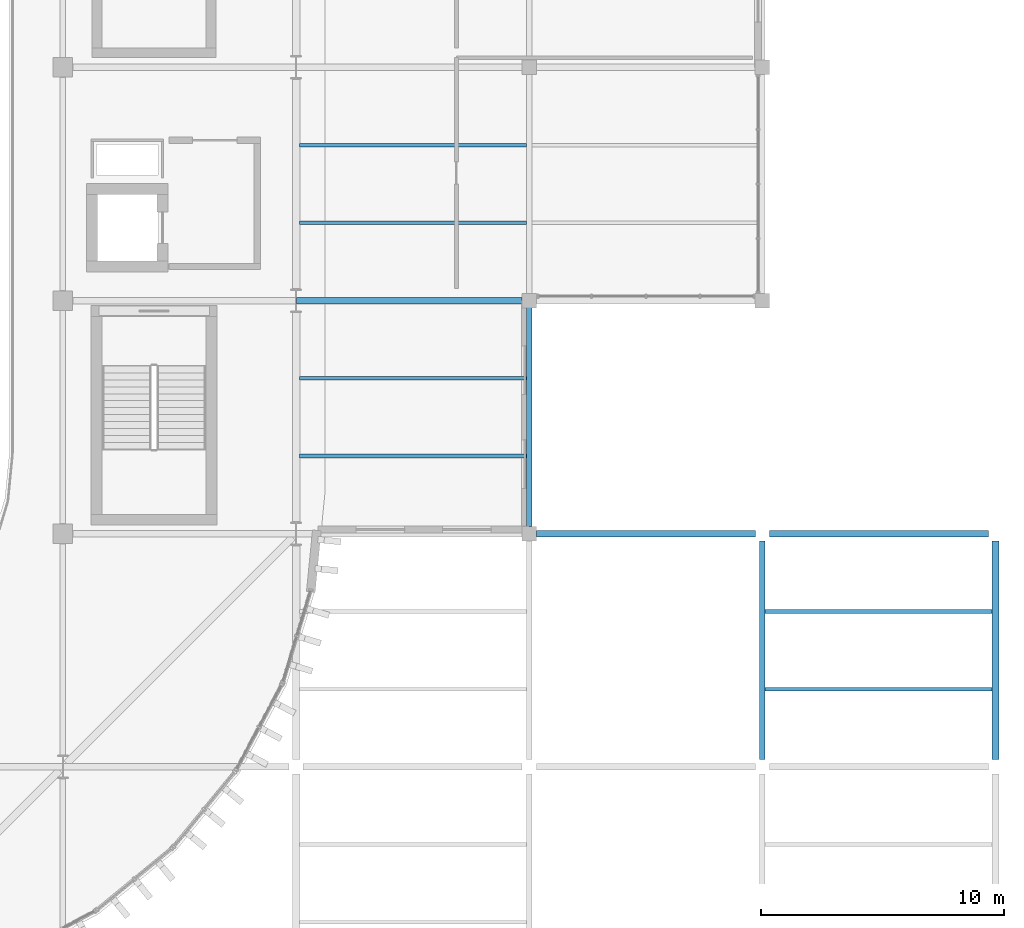
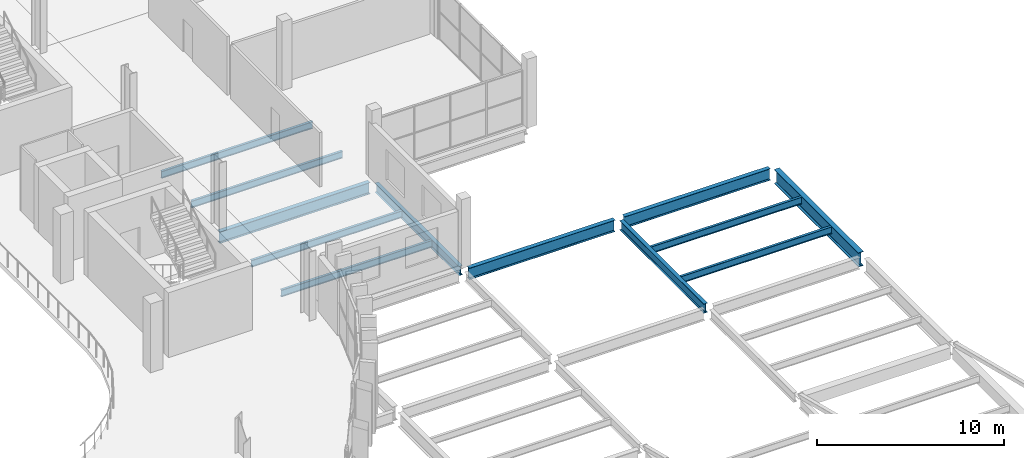
# One storey, part 21 of 75: 12 beams.
"""IFC4 building model written with IfcOpenShell, lengths in metres."""

from ifc_helpers import new_model, si_unit, direction, frame, origin, origin_2d, place, context, subcontext, project, spatial, i_section, extrude, material, material_profile, profile_set, type_object, element, save


model = new_model("IFC4")

# Units and contexts
model_context = context("Model", 3, precision=1e-05, world=origin(), true_north=direction((0.0, 1.0)))
body_context = subcontext(model_context, "Body", "Model", "MODEL_VIEW")
ifc_project = project(units=[si_unit("LENGTHUNIT", "METRE"), si_unit("AREAUNIT", "SQUARE_METRE"), si_unit("VOLUMEUNIT", "CUBIC_METRE"), si_unit("PLANEANGLEUNIT", "RADIAN"), si_unit("MASSUNIT", "GRAM", prefix="KILO")], contexts=[model_context])

# Site, building, storey
site_placement = place(None, origin())
site = spatial("IfcSite", under=ifc_project, at=site_placement, CompositionType="ELEMENT")
building_placement = place(site_placement, origin())
building = spatial("IfcBuilding", under=site, at=building_placement, Name="Caelomonte Colonnade Arena", CompositionType="ELEMENT")
storey_placement = place(building_placement, frame((0.0, 0.0, 14.10009765625)))
storey = spatial("IfcBuildingStorey", under=building, at=storey_placement, Name="L03", CompositionType="ELEMENT", Elevation=14.10009765625)

# Beams
ifc_material = material(Name="Wide-flange steel ASTM A992 Grade 50", Category="steel")
ifc_material_profile_1 = material_profile(ifc_material, i_section(OverallWidth=0.307861328125, OverallDepth=0.927001953125, WebThickness=0.019287109375, FlangeThickness=0.031982421875, FilletRadius=0.020263671875, at=origin_2d()), Name="W36X194")
ifc_profile_set_1 = profile_set([ifc_material_profile_1], Name="Wide-flange steel ASTM A992 Grade 50")
beam_type_1 = type_object("IfcBeamType", Name="STR-BM-EAVES2", PredefinedType="SPANDREL", material=ifc_profile_set_1)
beam_1_placement = place(storey_placement, frame((192.0, 29.092041015625, -0.74365234375), z_axis=(0.0, 1.0, 0.0), x_axis=(-1.0, 0.0, 0.0)))
element("IfcBeam", 1, at=beam_1_placement, inside=storey, type_object=beam_type_1, Name="L03 girder BMY-L03-1920-0288", PredefinedType="SPANDREL", context=body_context, shape_type="SweptSolid", body=[
    extrude(i_section(OverallWidth=0.307861328125, OverallDepth=0.927001953125, WebThickness=0.019287109375, FlangeThickness=0.031982421875, FilletRadius=0.020263671875, at=origin_2d()), origin(), (0.0, 0.0, 1.0), 9.015869140625),
])
ifc_material_profile_2 = material_profile(ifc_material, i_section(OverallWidth=0.228271484375, OverallDepth=0.607177734375, WebThickness=0.01123046875, FlangeThickness=0.017333984375, FilletRadius=0.0126953125, at=origin_2d()), Name="W24X76")
ifc_profile_set_2 = profile_set([ifc_material_profile_2], Name="Wide-flange steel ASTM A992 Grade 50")
beam_type_2 = type_object("IfcBeamType", Name="STR-BM-GIRD24", PredefinedType="BEAM", material=ifc_profile_set_2)
beam_2_placement = place(storey_placement, frame((172.800048828125, 38.69189453125, -0.58349609375), z_axis=(0.0, 1.0, 0.0), x_axis=(-1.0, 0.0, 0.0)))
element("IfcBeam", 2, at=beam_2_placement, inside=storey, type_object=beam_type_2, Name="L03 girder BMY-L03-1728-0384", PredefinedType="BEAM", context=body_context, shape_type="SweptSolid", body=[
    extrude(i_section(OverallWidth=0.228271484375, OverallDepth=0.607177734375, WebThickness=0.01123046875, FlangeThickness=0.017333984375, FilletRadius=0.0126953125, at=origin_2d()), origin(), (0.0, 0.0, 1.0), 9.01611328125),
])
beam_3_placement = place(storey_placement, frame((182.39990234375, 29.092041015625, -0.58349609375), z_axis=(0.0, 1.0, 0.0), x_axis=(-1.0, 0.0, 0.0)))
element("IfcBeam", 3, at=beam_3_placement, inside=storey, type_object=beam_type_2, Name="L03 girder BMY-L03-1824-0288", PredefinedType="BEAM", context=body_context, shape_type="SweptSolid", body=[
    extrude(i_section(OverallWidth=0.228271484375, OverallDepth=0.607177734375, WebThickness=0.01123046875, FlangeThickness=0.017333984375, FilletRadius=0.0126953125, at=origin_2d()), origin(), (0.0, 0.0, 1.0), 9.015869140625),
])
ifc_material_profile_3 = material_profile(ifc_material, i_section(OverallWidth=0.265380859375, OverallDepth=0.75439453125, WebThickness=0.01318359375, FlangeThickness=0.01708984375, FilletRadius=0.0166015625, at=origin_2d()), Name="W30X99")
ifc_profile_set_3 = profile_set([ifc_material_profile_3], Name="Wide-flange steel ASTM A992 Grade 50")
beam_type_3 = type_object("IfcBeamType", Name="STR-BM-GIRD30B", PredefinedType="BEAM", material=ifc_profile_set_3)
beam_4_placement = place(storey_placement, frame((173.092041015625, 38.39990234375, -0.6572265625), z_axis=(1.0, 0.0, 0.0), x_axis=(0.0, 1.0, 0.0)))
element("IfcBeam", 4, at=beam_4_placement, inside=storey, type_object=beam_type_3, Name="L03 girder BMX-L03-1728-0384", PredefinedType="BEAM", context=body_context, shape_type="SweptSolid", body=[
    extrude(i_section(OverallWidth=0.265380859375, OverallDepth=0.75439453125, WebThickness=0.01318359375, FlangeThickness=0.01708984375, FilletRadius=0.0166015625, at=origin_2d()), origin(), (0.0, 0.0, 1.0), 9.015869140625),
])
beam_5_placement = place(storey_placement, frame((182.69189453125, 38.39990234375, -0.6572265625), z_axis=(1.0, 0.0, 0.0), x_axis=(0.0, 1.0, 0.0)))
element("IfcBeam", 5, at=beam_5_placement, inside=storey, type_object=beam_type_3, Name="L03 girder BMX-L03-1824-0384", PredefinedType="BEAM", context=body_context, shape_type="SweptSolid", body=[
    extrude(i_section(OverallWidth=0.265380859375, OverallDepth=0.75439453125, WebThickness=0.01318359375, FlangeThickness=0.01708984375, FilletRadius=0.0166015625, at=origin_2d()), origin(), (0.0, 0.0, 1.0), 9.01611328125),
])
beam_6_placement = place(storey_placement, frame((163.2119140625, 48.0, -0.6572265625), z_axis=(1.0, 0.0, 0.0), x_axis=(0.0, 1.0, 0.0)))
element("IfcBeam", 6, at=beam_6_placement, inside=storey, type_object=beam_type_3, Name="L03 girder BMX-L03-1632-0480", PredefinedType="BEAM", context=body_context, shape_type="SweptSolid", body=[
    extrude(i_section(OverallWidth=0.265380859375, OverallDepth=0.75439453125, WebThickness=0.01318359375, FlangeThickness=0.01708984375, FilletRadius=0.0166015625, at=origin_2d()), origin(), (0.0, 0.0, 1.0), 9.296142578125),
])
ifc_material_profile_4 = material_profile(ifc_material, i_section(OverallWidth=0.15283203125, OverallDepth=0.45458984375, WebThickness=0.008056640625, FlangeThickness=0.01318359375, FilletRadius=0.01025390625, at=origin_2d()), Name="W18X40")
ifc_profile_set_4 = profile_set([ifc_material_profile_4], Name="Wide-flange steel ASTM A992 Grade 50")
beam_type_4 = type_object("IfcBeamType", Name="STR-BM-JOIST18B", PredefinedType="JOIST", material=ifc_profile_set_4)
for number, where, z_axis, x_axis, name in (
    (7, (163.348876953125, 41.60009765625, -0.50732421875), (1.0, 0.0, 0.0), (0.0, 1.0, 0.0), "L03 secondary joist 1"),
    (8, (163.348876953125, 44.800048828125, -0.50732421875), (1.0, 0.0, 0.0), (0.0, 1.0, 0.0), "L03 secondary joist 2"),
    (9, (163.348876953125, 51.199951171875, -0.50732421875), (1.0, 0.0, 0.0), (0.0, 1.0, 0.0), "L03 secondary joist 1"),
    (10, (163.348876953125, 54.39990234375, -0.50732421875), (1.0, 0.0, 0.0), (0.0, 1.0, 0.0), "L03 secondary joist 2"),
):
    element("IfcBeam", number, at=place(storey_placement, frame(where, z_axis=z_axis, x_axis=x_axis)), inside=storey, type_object=beam_type_4, Name=name, PredefinedType="JOIST", context=body_context, shape_type="SweptSolid", body=[
        extrude(i_section(OverallWidth=0.15283203125, OverallDepth=0.45458984375, WebThickness=0.008056640625, FlangeThickness=0.01318359375, FilletRadius=0.01025390625, at=origin_2d()), origin(), (0.0, 0.0, 1.0), 9.342041015625),
    ])
for number, where, z_axis, x_axis, name in (
    (11, (182.50927734375, 32.0, -0.50732421875), (1.0, 0.0, 0.0), (0.0, 1.0, 0.0), "L03 secondary joist 1"),
    (12, (182.50927734375, 35.199951171875, -0.50732421875), (1.0, 0.0, 0.0), (0.0, 1.0, 0.0), "L03 secondary joist 2"),
):
    element("IfcBeam", number, at=place(storey_placement, frame(where, z_axis=z_axis, x_axis=x_axis)), inside=storey, type_object=beam_type_4, Name=name, PredefinedType="JOIST", context=body_context, shape_type="SweptSolid", body=[
        extrude(i_section(OverallWidth=0.15283203125, OverallDepth=0.45458984375, WebThickness=0.008056640625, FlangeThickness=0.01318359375, FilletRadius=0.01025390625, at=origin_2d()), origin(), (0.0, 0.0, 1.0), 9.341796875),
    ])

save(model, "model.ifc")
